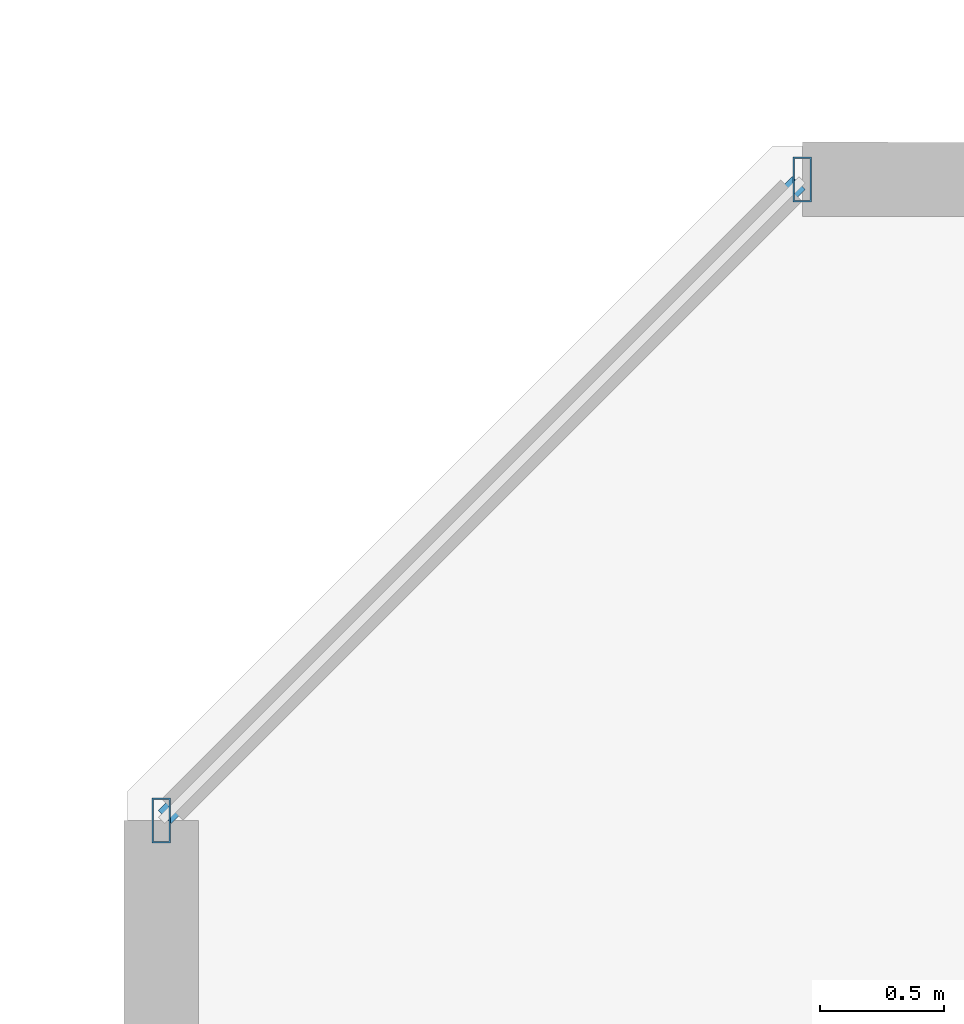
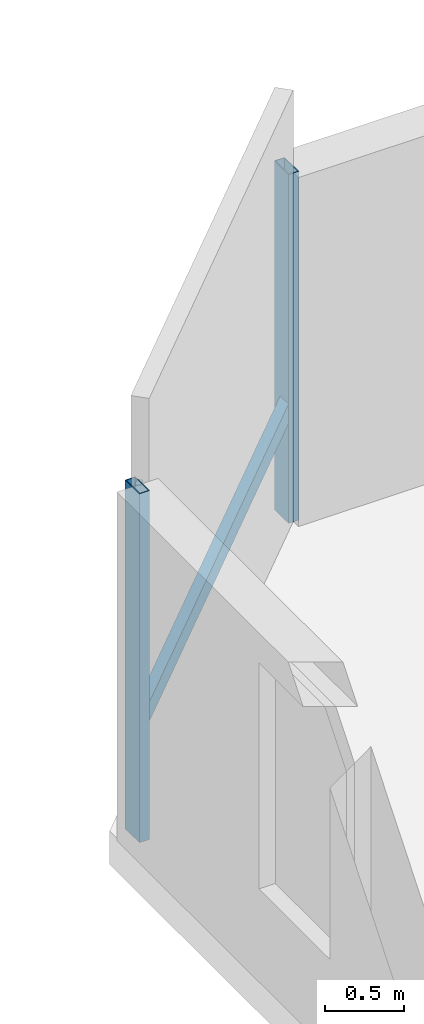
# One storey, part 15 of 33: 3 members, 1 element without a shape of its own.
"""IFC4 building model written with IfcOpenShell, lengths in metres."""

from ifc_helpers import new_model, si_unit, direction, frame, origin, origin_2d, place, context, subcontext, project, spatial, hollow_rectangle, extrude, material, material_profile, profile_set, type_object, element, aggregate, save


model = new_model("IFC4")

# Units and contexts
model_context = context("Model", 3, precision=1e-05, world=origin(), true_north=direction((0.0, 1.0)))
body_context = subcontext(model_context, "Body", "Model", "MODEL_VIEW")
ifc_project = project(units=[si_unit("LENGTHUNIT", "METRE"), si_unit("AREAUNIT", "SQUARE_METRE"), si_unit("VOLUMEUNIT", "CUBIC_METRE"), si_unit("PLANEANGLEUNIT", "RADIAN"), si_unit("MASSUNIT", "GRAM", prefix="KILO")], contexts=[model_context])

# Site, building, storey
site_placement = place(None, origin())
site = spatial("IfcSite", under=ifc_project, at=site_placement, CompositionType="ELEMENT")
building_placement = place(site_placement, origin())
building = spatial("IfcBuilding", under=site, at=building_placement, Name="Thornwick Lancets Civic Towers", CompositionType="ELEMENT")
storey_placement = place(building_placement, frame((0.0, 0.0, 203.699951171875)))
storey = spatial("IfcBuildingStorey", under=building, at=storey_placement, Name="L54", CompositionType="ELEMENT", Elevation=203.699951171875)

# Curtain wall, members
ifc_material_1 = material(Name="High-zone chamfered-corner unitised glass curtain wall", Category="glass")
curtain_wall_type = type_object("IfcCurtainWallType", Name="CW_SYS_05", PredefinedType="NOTDEFINED", material=ifc_material_1)
curtain_wall_placement = place(storey_placement, origin())
curtain_wall = element("IfcCurtainWall", 1, at=curtain_wall_placement, inside=storey, type_object=curtain_wall_type, Name="L54 Curtain Wall CW-L54-B-E5", PredefinedType="NOTDEFINED")
ifc_material_2 = material(Name="Thermally broken bronze aluminium S355", Category="steel")
ifc_material_profile_1 = material_profile(ifc_material_2, hollow_rectangle(XDim=0.074951171875, YDim=0.179931640625, WallThickness=0.006103515625, at=origin_2d()), Name="RHS 180x75x6")
ifc_profile_set_1 = profile_set([ifc_material_profile_1], Name="Thermally broken bronze aluminium S355")
member_type_1 = type_object("IfcMemberType", Name="CW_MUL_180", PredefinedType="MULLION", material=ifc_profile_set_1)
member_1_placement = place(storey_placement, frame((67.318603515625, 44.7646484375, 0.0), z_axis=(0.0, 0.0, 1.0), x_axis=(1.0, 0.0, 0.0)))
member_1 = element("IfcMember", 2, at=member_1_placement, type_object=member_type_1, Name="CW-L54-B-E5 Mullion 0", PredefinedType="MULLION", context=body_context, shape_type="SweptSolid", body=[
    extrude(hollow_rectangle(XDim=0.074951171875, YDim=0.179931640625, WallThickness=0.006103515625, at=origin_2d()), origin(), (0.0, 0.0, 1.0), 2.699951171875),
])
member_2_placement = place(storey_placement, frame((64.7353515625, 42.181396484375, 0.0), z_axis=(0.0, 0.0, 1.0), x_axis=(1.0, 0.0, 0.0)))
member_2 = element("IfcMember", 3, at=member_2_placement, type_object=member_type_1, Name="CW-L54-B-E5 Mullion 1", PredefinedType="MULLION", context=body_context, shape_type="SweptSolid", body=[
    extrude(hollow_rectangle(XDim=0.074951171875, YDim=0.179931640625, WallThickness=0.006103515625, at=origin_2d()), origin(), (0.0, 0.0, 1.0), 2.699951171875),
])
ifc_material_profile_2 = material_profile(ifc_material_2, hollow_rectangle(XDim=0.074951171875, YDim=0.14990234375, WallThickness=0.0048828125, at=origin_2d()), Name="RHS 150x75x5")
ifc_profile_set_2 = profile_set([ifc_material_profile_2], Name="Thermally broken bronze aluminium S355")
member_type_2 = type_object("IfcMemberType", Name="CW_TRN_150", PredefinedType="USERDEFINED", material=ifc_profile_set_2)
member_3_placement = place(storey_placement, frame((67.304443359375, 44.75048828125, 0.85009765625), z_axis=(-0.707106781187, -0.707106781187, 0.0), x_axis=(0.707106781187, -0.707106781187, 0.0)))
member_3 = element("IfcMember", 4, at=member_3_placement, type_object=member_type_2, Name="CW-L54-B-E5 Transom 0", ObjectType="TRANSOM", PredefinedType="USERDEFINED", context=body_context, shape_type="SweptSolid", body=[
    extrude(hollow_rectangle(XDim=0.074951171875, YDim=0.14990234375, WallThickness=0.0048828125, at=origin_2d()), origin(), (0.0, 0.0, 1.0), 3.61328125),
])
aggregate(curtain_wall, [member_1, member_2, member_3])

save(model, "model.ifc")
